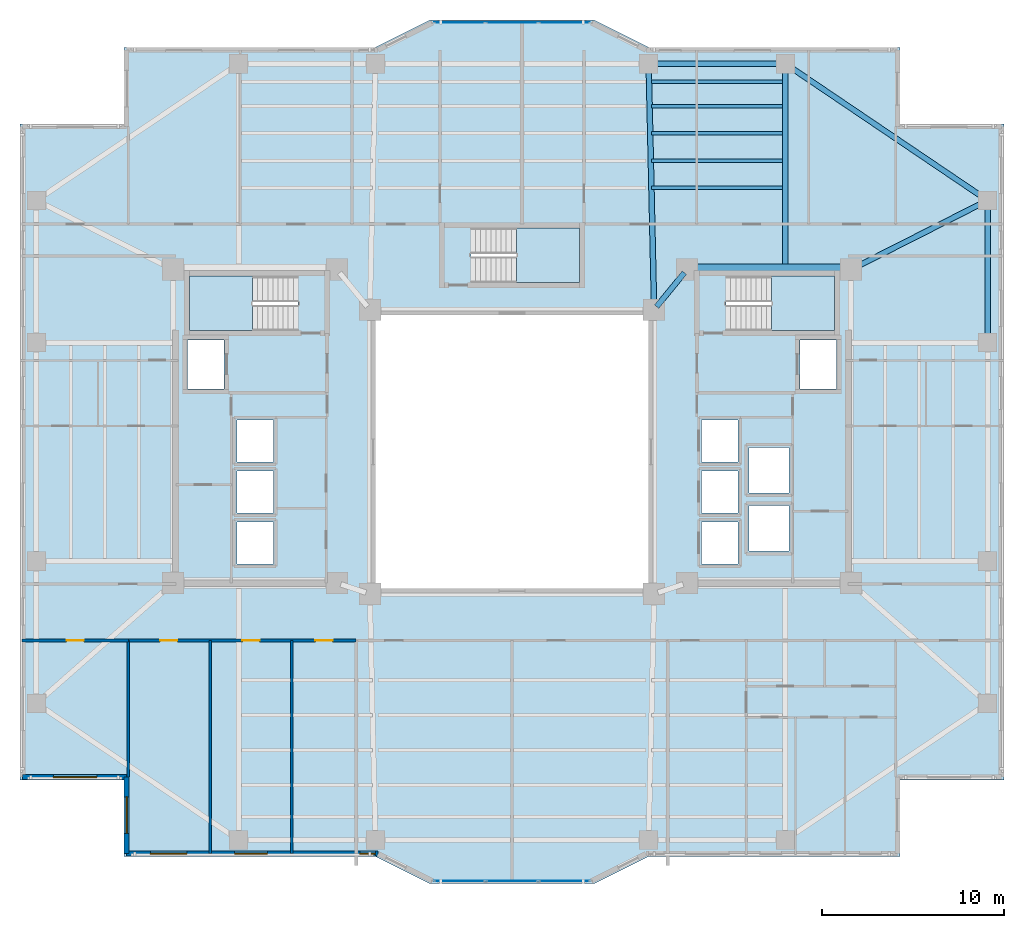
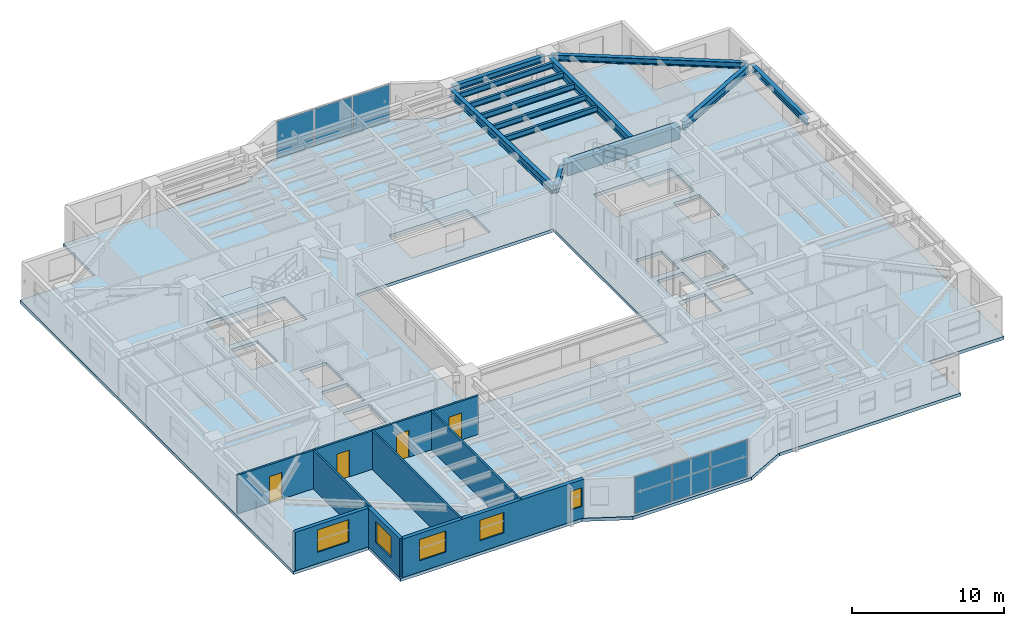
# One storey, part 5 of 18: 13 beams, 8 walls, 6 plates, 5 windows, 4 doors, 4 slabs, 9 openings, 5 elements without a shape of their own.
"""IFC4 building model written with IfcOpenShell, lengths in metres."""

from ifc_helpers import new_model, si_unit, direction, frame, frame_2d, origin, origin_2d, place, context, subcontext, project, spatial, polyline, rectangle, i_section, outline, extrude, material, layer, layer_set, material_profile, profile_set, type_object, element, fill, aggregate, save


model = new_model("IFC4")

# Units and contexts
model_context = context("Model", 3, precision=1e-05, world=origin(), true_north=direction((0.0, 1.0)))
body_context = subcontext(model_context, "Body", "Model", "MODEL_VIEW")
ifc_project = project(units=[si_unit("LENGTHUNIT", "METRE"), si_unit("AREAUNIT", "SQUARE_METRE"), si_unit("VOLUMEUNIT", "CUBIC_METRE"), si_unit("PLANEANGLEUNIT", "RADIAN"), si_unit("MASSUNIT", "GRAM", prefix="KILO")], contexts=[model_context])

# Site, building, storey
site_placement = place(None, origin())
site = spatial("IfcSite", under=ifc_project, at=site_placement, CompositionType="ELEMENT")
building_placement = place(site_placement, origin())
building = spatial("IfcBuilding", under=site, at=building_placement, Name="Tarnavaz Court Tower", CompositionType="ELEMENT")
storey_placement = place(building_placement, frame((0.0, 0.0, 108.449951171875)))
storey = spatial("IfcBuildingStorey", under=building, at=storey_placement, Name="L29", CompositionType="ELEMENT", Elevation=108.449951171875)

# Beams
ifc_material_1 = material(Name="Concrete C60/75", Category="concrete")
ifc_material_profile_1 = material_profile(ifc_material_1, rectangle(XDim=0.60009765625, YDim=1.0, at=origin_2d()), Name="RC 600X1000")
ifc_profile_set_1 = profile_set([ifc_material_profile_1], Name="Concrete C60/75")
beam_type_1 = type_object("IfcBeamType", Name="BM-CB1000", PredefinedType="LINTEL", material=ifc_profile_set_1)
beam_1_placement = place(storey_placement, frame((18.3798828125, 10.0, 2.60009765625), z_axis=(-1.0, 0.0, 0.0), x_axis=(0.0, -1.0, 0.0)))
element("IfcBeam", 1, at=beam_1_placement, inside=storey, type_object=beam_type_1, Name="L29 Beam IN-CE-NO-CE-NI", PredefinedType="LINTEL", context=body_context, shape_type="SweptSolid", body=[
    extrude(rectangle(XDim=0.60009765625, YDim=1.0, at=origin_2d()), origin(), (0.0, 0.0, 1.0), 8.559814453125),
])
ifc_material_2 = material(Name="Steel S355", Category="steel")
ifc_material_profile_2 = material_profile(ifc_material_2, i_section(OverallWidth=0.300048828125, OverallDepth=0.64990234375, WebThickness=0.01611328125, FlangeThickness=0.031005859375, FilletRadius=0.027099609375, at=origin_2d()), Name="HEB 650")
ifc_profile_set_2 = profile_set([ifc_material_profile_2], Name="Steel S355")
beam_type_2 = type_object("IfcBeamType", Name="BM-G-HEB650", PredefinedType="USERDEFINED", material=ifc_profile_set_2)
beam_2_placement = place(storey_placement, frame((9.460693359375, 9.82958984375, 2.775146484375), z_axis=(-0.633282058357, -0.773921077735, 0.0), x_axis=(0.773921077735, -0.633282058357, 0.0)))
element("IfcBeam", 2, at=beam_2_placement, inside=storey, type_object=beam_type_2, Name="L29 Beam IN-CE-NI-IW-NE", ObjectType="GIRDER", PredefinedType="USERDEFINED", context=body_context, shape_type="SweptSolid", body=[
    extrude(i_section(OverallWidth=0.300048828125, OverallDepth=0.64990234375, WebThickness=0.01611328125, FlangeThickness=0.031005859375, FilletRadius=0.027099609375, at=origin_2d()), origin(), (0.0, 0.0, 1.0), 2.402587890625),
])
beam_3_placement = place(storey_placement, frame((7.795166015625, 8.02001953125, 2.775146484375), z_axis=(-0.022221303469, 0.99975307635, 0.0), x_axis=(-0.99975307635, -0.022221303469, 0.0)))
element("IfcBeam", 3, at=beam_3_placement, inside=storey, type_object=beam_type_2, Name="L29 Beam RG-03", ObjectType="GIRDER", PredefinedType="USERDEFINED", context=body_context, shape_type="SweptSolid", body=[
    extrude(i_section(OverallWidth=0.300048828125, OverallDepth=0.64990234375, WebThickness=0.01611328125, FlangeThickness=0.031005859375, FilletRadius=0.027099609375, at=origin_2d()), origin(), (0.0, 0.0, 1.0), 13.063232421875),
])
beam_4_placement = place(storey_placement, frame((15.0, 10.0400390625, 2.775146484375), z_axis=(0.0, 1.0, 0.0), x_axis=(-1.0, 0.0, 0.0)))
element("IfcBeam", 4, at=beam_4_placement, inside=storey, type_object=beam_type_2, Name="L29 Beam RG-04", ObjectType="GIRDER", PredefinedType="USERDEFINED", context=body_context, shape_type="SweptSolid", body=[
    extrude(i_section(OverallWidth=0.300048828125, OverallDepth=0.64990234375, WebThickness=0.01611328125, FlangeThickness=0.031005859375, FilletRadius=0.027099609375, at=origin_2d()), origin(), (0.0, 0.0, 1.0), 11.0400390625),
])
beam_5_placement = place(storey_placement, frame((18.796142578125, 10.099365234375, 2.775146484375), z_axis=(0.892030669981, 0.451974870776, 0.0), x_axis=(-0.451974870776, 0.892030669981, 0.0)))
element("IfcBeam", 5, at=beam_5_placement, inside=storey, type_object=beam_type_2, Name="L29 Beam RG-12", ObjectType="GIRDER", PredefinedType="USERDEFINED", context=body_context, shape_type="SweptSolid", body=[
    extrude(i_section(OverallWidth=0.300048828125, OverallDepth=0.64990234375, WebThickness=0.01611328125, FlangeThickness=0.031005859375, FilletRadius=0.027099609375, at=origin_2d()), origin(), (0.0, 0.0, 1.0), 7.968017578125),
])
ifc_material_profile_3 = material_profile(ifc_material_2, i_section(OverallWidth=0.18994140625, OverallDepth=0.449951171875, WebThickness=0.009521484375, FlangeThickness=0.0146484375, FilletRadius=0.02099609375, at=origin_2d()), Name="IPE 450")
ifc_profile_set_3 = profile_set([ifc_material_profile_3], Name="Steel S355")
beam_type_3 = type_object("IfcBeamType", Name="BM-J-IPE450", PredefinedType="JOIST", material=ifc_profile_set_3)
for number, where, z_axis, x_axis, name in (
    (6, (7.64990234375, 14.493896484375, 2.875), (1.0, 0.0, 0.0), (0.0, 1.0, 0.0), "L29 Beam JN1-3"),
    (7, (7.64990234375, 15.988037109375, 2.875), (1.0, 0.0, 0.0), (0.0, 1.0, 0.0), "L29 Beam JN2-3"),
    (8, (7.64990234375, 17.48193359375, 2.875), (1.0, 0.0, 0.0), (0.0, 1.0, 0.0), "L29 Beam JN3-3"),
    (9, (7.64990234375, 18.97607421875, 2.875), (1.0, 0.0, 0.0), (0.0, 1.0, 0.0), "L29 Beam JN4-3"),
    (10, (7.64990234375, 20.303955078125, 2.875), (1.0, 0.0, 0.0), (0.0, 1.0, 0.0), "L29 Beam JN5-3"),
):
    element("IfcBeam", number, at=place(storey_placement, frame(where, z_axis=z_axis, x_axis=x_axis)), inside=storey, type_object=beam_type_3, Name=name, PredefinedType="JOIST", context=body_context, shape_type="SweptSolid", body=[
        extrude(i_section(OverallWidth=0.18994140625, OverallDepth=0.449951171875, WebThickness=0.009521484375, FlangeThickness=0.0146484375, FilletRadius=0.02099609375, at=origin_2d()), origin(), (0.0, 0.0, 1.0), 7.2001953125),
    ])
ifc_material_profile_4 = material_profile(ifc_material_2, i_section(OverallWidth=0.300048828125, OverallDepth=0.489990234375, WebThickness=0.011962890625, FlangeThickness=0.02294921875, FilletRadius=0.027099609375, at=origin_2d()), Name="HEA 500")
ifc_profile_set_4 = profile_set([ifc_material_profile_4], Name="Steel S355")
beam_type_4 = type_object("IfcBeamType", Name="BM-SP-HEA500", PredefinedType="SPANDREL", material=ifc_profile_set_4)
beam_6_placement = place(storey_placement, frame((7.719970703125, 21.300048828125, 2.85498046875), z_axis=(1.0, 0.0, 0.0), x_axis=(0.0, 1.0, 0.0)))
element("IfcBeam", 11, at=beam_6_placement, inside=storey, type_object=beam_type_4, Name="L29 Beam PR-PN-3-PN-4", PredefinedType="SPANDREL", context=body_context, shape_type="SweptSolid", body=[
    extrude(i_section(OverallWidth=0.300048828125, OverallDepth=0.489990234375, WebThickness=0.011962890625, FlangeThickness=0.02294921875, FilletRadius=0.027099609375, at=origin_2d()), origin(), (0.0, 0.0, 1.0), 7.06005859375),
])
beam_7_placement = place(storey_placement, frame((26.10009765625, 6.219970703125, 2.85498046875), z_axis=(0.0, 1.0, 0.0), x_axis=(-1.0, 0.0, 0.0)))
element("IfcBeam", 12, at=beam_7_placement, inside=storey, type_object=beam_type_4, Name="L29 Beam PR-PE-3-PE-4", PredefinedType="SPANDREL", context=body_context, shape_type="SweptSolid", body=[
    extrude(i_section(OverallWidth=0.300048828125, OverallDepth=0.489990234375, WebThickness=0.011962890625, FlangeThickness=0.02294921875, FilletRadius=0.027099609375, at=origin_2d()), origin(), (0.0, 0.0, 1.0), 7.360107421875),
])
beam_8_placement = place(storey_placement, frame((15.182373046875, 21.1767578125, 2.85498046875), z_axis=(0.828587314918, -0.559859858854, 0.0), x_axis=(0.559859858854, 0.828587314918, 0.0)))
element("IfcBeam", 13, at=beam_8_placement, inside=storey, type_object=beam_type_4, Name="L29 Beam PR-PN-4-PE-4", PredefinedType="SPANDREL", context=body_context, shape_type="SweptSolid", body=[
    extrude(i_section(OverallWidth=0.300048828125, OverallDepth=0.489990234375, WebThickness=0.011962890625, FlangeThickness=0.02294921875, FilletRadius=0.027099609375, at=origin_2d()), origin(), (0.0, 0.0, 1.0), 12.956298828125),
])

# Curtain wall, plates
ifc_material_3 = material(Name="Anodised Aluminium 6063-T6 and Solar Low-E Glazing", Category="aluminium")
ifc_layer_1 = layer(ifc_material_3, 0.179931640625)
ifc_layer_set_1 = layer_set([ifc_layer_1], Name="Anodised Aluminium 6063-T6 and Solar Low-E Glazing")
curtain_wall_type = type_object("IfcCurtainWallType", Name="CW-SYS-02", PredefinedType="NOTDEFINED", material=ifc_layer_set_1)
curtain_wall_1_placement = place(storey_placement, origin())
curtain_wall_1 = element("IfcCurtainWall", 14, at=curtain_wall_1_placement, inside=storey, type_object=curtain_wall_type, Name="L29 Iwan Prow Curtain Wall 7", PredefinedType="NOTDEFINED")
ifc_material_4 = material(Name="Double-Glazed Solar Low-E Glass", Category="glass")
ifc_layer_2 = layer(ifc_material_4, 0.028076171875)
ifc_layer_set_2 = layer_set([ifc_layer_2], Name="Double-Glazed Solar Low-E Glass")
plate_type = type_object("IfcPlateType", Name="CW-PAN-GLZ28", PredefinedType="CURTAIN_PANEL", material=ifc_layer_set_2)
plate_1_placement = place(storey_placement, frame((-2.88134765625, 23.550048828125, 0.06494140625), z_axis=(0.0, 0.0, 1.0), x_axis=(1.0, 0.0, 0.0)))
plate_1 = element("IfcPlate", 15, at=plate_1_placement, type_object=plate_type, Name="CW panel 1.1", PredefinedType="CURTAIN_PANEL", context=body_context, shape_type="SweptSolid", body=[
    extrude(rectangle(XDim=2.78759765625, YDim=0.028076171875, at=origin_2d()), origin(), (0.0, 0.0, 1.0), 2.969970703125),
])
plate_2_placement = place(storey_placement, frame((0.0, 23.550048828125, 0.06494140625), z_axis=(0.0, 0.0, 1.0), x_axis=(1.0, 0.0, 0.0)))
plate_2 = element("IfcPlate", 16, at=plate_2_placement, type_object=plate_type, Name="CW panel 2.1", PredefinedType="CURTAIN_PANEL", context=body_context, shape_type="SweptSolid", body=[
    extrude(rectangle(XDim=2.824951171875, YDim=0.028076171875, at=origin_2d()), origin(), (0.0, 0.0, 1.0), 2.969970703125),
])
plate_3_placement = place(storey_placement, frame((2.88134765625, 23.550048828125, 0.06494140625), z_axis=(0.0, 0.0, 1.0), x_axis=(1.0, 0.0, 0.0)))
plate_3 = element("IfcPlate", 17, at=plate_3_placement, type_object=plate_type, Name="CW panel 3.1", PredefinedType="CURTAIN_PANEL", context=body_context, shape_type="SweptSolid", body=[
    extrude(rectangle(XDim=2.78759765625, YDim=0.028076171875, at=origin_2d()), origin(), (0.0, 0.0, 1.0), 2.969970703125),
])
aggregate(curtain_wall_1, [plate_1, plate_2, plate_3])

curtain_wall_2_placement = place(storey_placement, origin())
curtain_wall_2 = element("IfcCurtainWall", 18, at=curtain_wall_2_placement, inside=storey, type_object=curtain_wall_type, Name="L29 Iwan Prow Curtain Wall 17", PredefinedType="NOTDEFINED")
plate_4_placement = place(storey_placement, frame((2.88134765625, -23.550048828125, 0.06494140625), z_axis=(0.0, 0.0, 1.0), x_axis=(-1.0, 0.0, 0.0)))
plate_4 = element("IfcPlate", 19, at=plate_4_placement, type_object=plate_type, Name="CW panel 1.1", PredefinedType="CURTAIN_PANEL", context=body_context, shape_type="SweptSolid", body=[
    extrude(rectangle(XDim=2.78759765625, YDim=0.028076171875, at=origin_2d()), origin(), (0.0, 0.0, 1.0), 2.969970703125),
])
plate_5_placement = place(storey_placement, frame((0.0, -23.550048828125, 0.06494140625), z_axis=(0.0, 0.0, 1.0), x_axis=(-1.0, 0.0, 0.0)))
plate_5 = element("IfcPlate", 20, at=plate_5_placement, type_object=plate_type, Name="CW panel 2.1", PredefinedType="CURTAIN_PANEL", context=body_context, shape_type="SweptSolid", body=[
    extrude(rectangle(XDim=2.824951171875, YDim=0.028076171875, at=origin_2d()), origin(), (0.0, 0.0, 1.0), 2.969970703125),
])
plate_6_placement = place(storey_placement, frame((-2.88134765625, -23.550048828125, 0.06494140625), z_axis=(0.0, 0.0, 1.0), x_axis=(-1.0, 0.0, 0.0)))
plate_6 = element("IfcPlate", 21, at=plate_6_placement, type_object=plate_type, Name="CW panel 3.1", PredefinedType="CURTAIN_PANEL", context=body_context, shape_type="SweptSolid", body=[
    extrude(rectangle(XDim=2.78759765625, YDim=0.028076171875, at=origin_2d()), origin(), (0.0, 0.0, 1.0), 2.969970703125),
])
aggregate(curtain_wall_2, [plate_4, plate_5, plate_6])

# Stair, slab
ifc_material_5 = material(Name="Concrete C40/50", Category="concrete")
stair_type = type_object("IfcStairType", Name="ST-TWR-20R", PredefinedType="HALF_TURN_STAIR", material=ifc_material_5)
stair_1_placement = place(storey_placement, origin())
stair_1 = element("IfcStair", 22, at=stair_1_placement, inside=storey, type_object=stair_type, Name="L29 West Core Pressurized Exit Stair ST-W1", PredefinedType="HALF_TURN_STAIR")
ifc_layer_3 = layer(ifc_material_5, 0.199951171875)
ifc_layer_set_3 = layer_set([ifc_layer_3], Name="Concrete C40/50")
slab_type_1 = type_object("IfcSlabType", Name="SL-LAND-200", PredefinedType="LANDING", material=ifc_layer_set_3)
slab_1_placement = place(storey_placement, frame((0.0, 0.0, 1.47509765625)))
slab_1 = element("IfcSlab", 23, at=slab_1_placement, type_object=slab_type_1, Name="ST-W1 landing 1", PredefinedType="LANDING", context=body_context, shape_type="SweptSolid", body=[
    extrude(outline(polyline([(-14.239990234375, 9.639892578125), (-17.699951171875, 9.639892578125), (-17.699951171875, 6.64990234375), (-14.239990234375, 6.64990234375), (-14.239990234375, 9.639892578125)])), origin(), (0.0, 0.0, 1.0), 0.199951171875),
])
aggregate(stair_1, [slab_1])

stair_2_placement = place(storey_placement, origin())
stair_2 = element("IfcStair", 24, at=stair_2_placement, inside=storey, type_object=stair_type, Name="L29 East Core Pressurized Exit Stair ST-E1", PredefinedType="HALF_TURN_STAIR")
slab_2_placement = place(storey_placement, frame((0.0, 0.0, 1.47509765625)))
slab_2 = element("IfcSlab", 25, at=slab_2_placement, type_object=slab_type_1, Name="ST-E1 landing 1", PredefinedType="LANDING", context=body_context, shape_type="SweptSolid", body=[
    extrude(outline(polyline([(14.239990234375, 6.64990234375), (17.699951171875, 6.64990234375), (17.699951171875, 9.639892578125), (14.239990234375, 9.639892578125), (14.239990234375, 6.64990234375)])), origin(), (0.0, 0.0, 1.0), 0.199951171875),
])
aggregate(stair_2, [slab_2])

stair_3_placement = place(storey_placement, origin())
stair_3 = element("IfcStair", 26, at=stair_3_placement, inside=storey, type_object=stair_type, Name="L29 North Ring Pressurized Exit Stair ST-N1", PredefinedType="HALF_TURN_STAIR")
slab_3_placement = place(storey_placement, frame((0.0, 0.0, 1.47509765625)))
slab_3 = element("IfcSlab", 27, at=slab_3_placement, type_object=slab_type_1, Name="ST-N1 landing 1", PredefinedType="LANDING", context=body_context, shape_type="SweptSolid", body=[
    extrude(outline(polyline([(0.239990234375, 9.300048828125), (3.699951171875, 9.300048828125), (3.699951171875, 12.2900390625), (0.239990234375, 12.2900390625), (0.239990234375, 9.300048828125)])), origin(), (0.0, 0.0, 1.0), 0.199951171875),
])
aggregate(stair_3, [slab_3])

# Slab
ifc_layer_4 = layer(ifc_material_5, 0.25)
ifc_layer_set_4 = layer_set([ifc_layer_4], Name="Concrete C40/50")
slab_type_2 = type_object("IfcSlabType", Name="SL-RES-250", PredefinedType="FLOOR", material=ifc_layer_set_4)
slab_4_placement = place(storey_placement, frame((0.0, 0.0, -0.25)))
element("IfcSlab", 28, at=slab_4_placement, inside=storey, type_object=slab_type_2, Name="L29 Structural Floor Slab", PredefinedType="FLOOR", context=body_context, shape_type="SweptSolid", body=[
    extrude(outline(polyline([(-21.300048828125, -22.199951171875), (-7.5, -22.199951171875), (-4.5, -23.699951171875), (4.5, -23.699951171875), (7.5, -22.199951171875), (21.300048828125, -22.199951171875), (21.300048828125, -18.0), (27.0, -18.0), (27.0, 18.0), (21.300048828125, 18.0), (21.300048828125, 22.199951171875), (7.5, 22.199951171875), (4.5, 23.699951171875), (-4.5, 23.699951171875), (-7.5, 22.199951171875), (-21.300048828125, 22.199951171875), (-21.300048828125, 18.0), (-27.0, 18.0), (-27.0, -18.0), (-21.300048828125, -18.0), (-21.300048828125, -22.199951171875)]), holes=[polyline([(-7.5, -7.5), (7.5, -7.5), (7.5, 7.5), (-7.5, 7.5), (-7.5, -7.5)]), polyline([(-11.7451171875, 9.639892578125), (-17.699951171875, 9.639892578125), (-17.699951171875, 6.64990234375), (-11.7451171875, 6.64990234375), (-11.7451171875, 9.639892578125)]), polyline([(11.7451171875, 6.64990234375), (17.699951171875, 6.64990234375), (17.699951171875, 9.639892578125), (11.7451171875, 9.639892578125), (11.7451171875, 6.64990234375)]), polyline([(-2.2548828125, 9.300048828125), (3.699951171875, 9.300048828125), (3.699951171875, 12.2900390625), (-2.2548828125, 12.2900390625), (-2.2548828125, 9.300048828125)]), polyline([(-17.800048828125, 3.449951171875), (-15.800048828125, 3.449951171875), (-15.800048828125, 6.14990234375), (-17.800048828125, 6.14990234375), (-17.800048828125, 3.449951171875)]), polyline([(-15.10009765625, -6.14990234375), (-13.10009765625, -6.14990234375), (-13.10009765625, -3.85009765625), (-15.10009765625, -3.85009765625), (-15.10009765625, -6.14990234375)]), polyline([(-15.10009765625, -3.35009765625), (-13.10009765625, -3.35009765625), (-13.10009765625, -1.050048828125), (-15.10009765625, -1.050048828125), (-15.10009765625, -3.35009765625)]), polyline([(-15.10009765625, -0.550048828125), (-13.10009765625, -0.550048828125), (-13.10009765625, 1.75), (-15.10009765625, 1.75), (-15.10009765625, -0.550048828125)]), polyline([(15.800048828125, 3.449951171875), (17.800048828125, 3.449951171875), (17.800048828125, 6.14990234375), (15.800048828125, 6.14990234375), (15.800048828125, 3.449951171875)]), polyline([(10.39990234375, -6.14990234375), (12.39990234375, -6.14990234375), (12.39990234375, -3.85009765625), (10.39990234375, -3.85009765625), (10.39990234375, -6.14990234375)]), polyline([(10.39990234375, -3.35009765625), (12.39990234375, -3.35009765625), (12.39990234375, -1.050048828125), (10.39990234375, -1.050048828125), (10.39990234375, -3.35009765625)]), polyline([(10.39990234375, -0.550048828125), (12.39990234375, -0.550048828125), (12.39990234375, 1.75), (10.39990234375, 1.75), (10.39990234375, -0.550048828125)]), polyline([(13.0, -5.449951171875), (15.199951171875, -5.449951171875), (15.199951171875, -2.949951171875), (13.0, -2.949951171875), (13.0, -5.449951171875)]), polyline([(13.0, -2.25), (15.199951171875, -2.25), (15.199951171875, 0.25), (13.0, 0.25), (13.0, -2.25)])]), origin(), (0.0, 0.0, 1.0), 0.25),
])

# Wall, opening, window
ifc_material_6 = material(Name="Precast Concrete C40/50", Category="concrete")
ifc_layer_5 = layer(ifc_material_6, 0.280029296875)
ifc_layer_set_5 = layer_set([ifc_layer_5], Name="Precast Concrete C40/50")
wall_type_1 = type_object("IfcWallType", Name="WL-EXT-280", PredefinedType="SOLIDWALL", material=ifc_layer_set_5)
wall_1_placement = place(storey_placement, frame((-21.14990234375, -17.85009765625, 0.0), z_axis=(0.0, 0.0, 1.0), x_axis=(-1.0, 0.0, 0.0)))
wall_1 = element("IfcWall", 29, at=wall_1_placement, inside=storey, type_object=wall_type_1, Name="L29 Exterior Terracotta Facade Wall 01", PredefinedType="SOLIDWALL", context=body_context, shape_type="SweptSolid", body=[
    extrude(rectangle(XDim=5.7001953125, YDim=0.280029296875, at=frame_2d((2.85009765625, 0.0))), origin(), (0.0, 0.0, 1.0), 3.10009765625),
])
opening_1_placement = place(wall_1_placement, frame((1.625, 0.0, 0.89990234375)))
opening_1 = element("IfcOpeningElement", 30, at=opening_1_placement, cuts=wall_1, Name="Opening W06", PredefinedType="OPENING", context=body_context, shape_type="SweptSolid", body=[
    extrude(rectangle(XDim=2.39990234375, YDim=1.800048828125, at=frame_2d((1.199951171875, 0.89990234375))), frame((0.0, 0.14990234375, 0.0), z_axis=(0.0, -1.0, 0.0), x_axis=(1.0, 0.0, 0.0)), (0.0, 0.0, 1.0), 0.300048828125),
])
window_type_1 = type_object("IfcWindowType", Name="WN-APT-2400", PartitioningType="TRIPLE_PANEL_VERTICAL", PredefinedType="WINDOW", material=ifc_material_4)
window_1_placement = place(opening_1_placement, origin())
window_1 = element("IfcWindow", 31, at=window_1_placement, inside=storey, type_object=window_type_1, Name="L29 South-West Corner Reading Room Window", OverallHeight=1.800048828125, OverallWidth=2.39990234375, PartitioningType="SINGLE_PANEL", PredefinedType="WINDOW", context=body_context, shape_type="SweptSolid", body=[
    extrude(rectangle(XDim=2.39990234375, YDim=1.800048828125, at=frame_2d((1.199951171875, 0.89990234375))), frame((0.0, 0.030029296875, 0.0), z_axis=(0.0, -1.0, 0.0), x_axis=(1.0, 0.0, 0.0)), (0.0, 0.0, 1.0), 0.06005859375),
])
fill(opening_1, window_1)

# Wall, openings, windows
wall_2_placement = place(storey_placement, frame((-7.35009765625, -22.050048828125, 0.0), z_axis=(0.0, 0.0, 1.0), x_axis=(-1.0, 0.0, 0.0)))
wall_2 = element("IfcWall", 32, at=wall_2_placement, inside=storey, type_object=wall_type_1, Name="L29 Exterior Terracotta Facade Wall 19", PredefinedType="SOLIDWALL", context=body_context, shape_type="SweptSolid", body=[
    extrude(rectangle(XDim=13.7998046875, YDim=0.280029296875, at=frame_2d((6.89990234375, 0.0))), origin(), (0.0, 0.0, 1.0), 3.10009765625),
])
opening_2_placement = place(wall_2_placement, frame((0.14697265625, 0.0, 0.949951171875)))
opening_2 = element("IfcOpeningElement", 33, at=opening_2_placement, cuts=wall_2, Name="Opening W15", PredefinedType="OPENING", context=body_context, shape_type="SweptSolid", body=[
    extrude(rectangle(XDim=0.85009765625, YDim=1.5, at=frame_2d((0.425048828125, 0.75))), frame((0.0, 0.14990234375, 0.0), z_axis=(0.0, -1.0, 0.0), x_axis=(1.0, 0.0, 0.0)), (0.0, 0.0, 1.0), 0.300048828125),
])
opening_3_placement = place(wall_2_placement, frame((6.0751953125, 0.0, 0.89990234375)))
opening_3 = element("IfcOpeningElement", 34, at=opening_3_placement, cuts=wall_2, Name="Opening W01", PredefinedType="OPENING", context=body_context, shape_type="SweptSolid", body=[
    extrude(rectangle(XDim=1.800048828125, YDim=1.64990234375, at=frame_2d((0.89990234375, 0.824951171875))), frame((0.0, 0.14990234375, 0.0), z_axis=(0.0, -1.0, 0.0), x_axis=(1.0, 0.0, 0.0)), (0.0, 0.0, 1.0), 0.300048828125),
])
opening_4_placement = place(wall_2_placement, frame((10.49169921875, 0.0, 0.89990234375)))
opening_4 = element("IfcOpeningElement", 35, at=opening_4_placement, cuts=wall_2, Name="Opening W08", PredefinedType="OPENING", context=body_context, shape_type="SweptSolid", body=[
    extrude(rectangle(XDim=2.0, YDim=1.699951171875, at=frame_2d((1.0, 0.85009765625))), frame((0.0, 0.14990234375, 0.0), z_axis=(0.0, -1.0, 0.0), x_axis=(1.0, 0.0, 0.0)), (0.0, 0.0, 1.0), 0.300048828125),
])
window_type_2 = type_object("IfcWindowType", Name="WN-APT-1800", PartitioningType="DOUBLE_PANEL_VERTICAL", PredefinedType="WINDOW", material=ifc_material_4)
window_2_placement = place(opening_3_placement, origin())
window_2 = element("IfcWindow", 36, at=window_2_placement, inside=storey, type_object=window_type_2, Name="L29 Craft and Maker Workshop Room Window", OverallHeight=1.64990234375, OverallWidth=1.800048828125, PartitioningType="SINGLE_PANEL", PredefinedType="WINDOW", context=body_context, shape_type="SweptSolid", body=[
    extrude(rectangle(XDim=1.800048828125, YDim=1.64990234375, at=frame_2d((0.89990234375, 0.824951171875))), frame((0.0, 0.030029296875, 0.0), z_axis=(0.0, -1.0, 0.0), x_axis=(1.0, 0.0, 0.0)), (0.0, 0.0, 1.0), 0.06005859375),
])
fill(opening_3, window_2)
window_type_3 = type_object("IfcWindowType", Name="WN-APT-2000", PartitioningType="DOUBLE_PANEL_VERTICAL", PredefinedType="WINDOW", material=ifc_material_4)
window_3_placement = place(opening_4_placement, origin())
window_3 = element("IfcWindow", 37, at=window_3_placement, inside=storey, type_object=window_type_3, Name="L29 Resident Community Meeting Room Window", OverallHeight=1.699951171875, OverallWidth=2.0, PartitioningType="SINGLE_PANEL", PredefinedType="WINDOW", context=body_context, shape_type="SweptSolid", body=[
    extrude(rectangle(XDim=2.0, YDim=1.699951171875, at=frame_2d((1.0, 0.85009765625))), frame((0.0, 0.030029296875, 0.0), z_axis=(0.0, -1.0, 0.0), x_axis=(1.0, 0.0, 0.0)), (0.0, 0.0, 1.0), 0.06005859375),
])
fill(opening_4, window_3)
window_type_4 = type_object("IfcWindowType", Name="WN-APT-850", PartitioningType="SINGLE_PANEL", PredefinedType="WINDOW", material=ifc_material_4)
window_4_placement = place(opening_2_placement, origin())
window_4 = element("IfcWindow", 38, at=window_4_placement, inside=storey, type_object=window_type_4, Name="L29 South Courtyard Majlis Lounge Window", OverallHeight=1.5, OverallWidth=0.85009765625, PartitioningType="SINGLE_PANEL", PredefinedType="WINDOW", context=body_context, shape_type="SweptSolid", body=[
    extrude(rectangle(XDim=0.85009765625, YDim=1.5, at=frame_2d((0.425048828125, 0.75))), frame((0.0, 0.030029296875, 0.0), z_axis=(0.0, -1.0, 0.0), x_axis=(1.0, 0.0, 0.0)), (0.0, 0.0, 1.0), 0.06005859375),
])
fill(opening_2, window_4)

# Wall, opening, window
wall_3_placement = place(storey_placement, frame((-21.14990234375, -22.050048828125, 0.0), z_axis=(0.0, 0.0, 1.0), x_axis=(0.0, 1.0, 0.0)))
wall_3 = element("IfcWall", 39, at=wall_3_placement, inside=storey, type_object=wall_type_1, Name="L29 Exterior Terracotta Facade Wall 20", PredefinedType="SOLIDWALL", context=body_context, shape_type="SweptSolid", body=[
    extrude(rectangle(XDim=4.199951171875, YDim=0.280029296875, at=frame_2d((2.10009765625, 0.0))), origin(), (0.0, 0.0, 1.0), 3.10009765625),
])
opening_5_placement = place(wall_3_placement, frame((1.117919921875, 0.0, 0.89990234375)))
opening_5 = element("IfcOpeningElement", 40, at=opening_5_placement, cuts=wall_3, Name="Opening W08", PredefinedType="OPENING", context=body_context, shape_type="SweptSolid", body=[
    extrude(rectangle(XDim=2.0, YDim=1.699951171875, at=frame_2d((1.0, 0.85009765625))), frame((0.0, 0.14990234375, 0.0), z_axis=(0.0, -1.0, 0.0), x_axis=(1.0, 0.0, 0.0)), (0.0, 0.0, 1.0), 0.300048828125),
])
window_5_placement = place(opening_5_placement, origin())
window_5 = element("IfcWindow", 41, at=window_5_placement, inside=storey, type_object=window_type_3, Name="L29 Resident Community Meeting Room Window", OverallHeight=1.699951171875, OverallWidth=2.0, PartitioningType="SINGLE_PANEL", PredefinedType="WINDOW", context=body_context, shape_type="SweptSolid", body=[
    extrude(rectangle(XDim=2.0, YDim=1.699951171875, at=frame_2d((1.0, 0.85009765625))), frame((0.0, 0.030029296875, 0.0), z_axis=(0.0, -1.0, 0.0), x_axis=(1.0, 0.0, 0.0)), (0.0, 0.0, 1.0), 0.06005859375),
])
fill(opening_5, window_5)

# Wall, openings, doors
ifc_material_7 = material(Name="Gypsum Fire-Board on Acoustic Metal Stud", Category="masonry")
ifc_layer_6 = layer(ifc_material_7, 0.14990234375)
ifc_layer_set_6 = layer_set([ifc_layer_6], Name="Gypsum Fire-Board on Acoustic Metal Stud")
wall_type_2 = type_object("IfcWallType", Name="WL-FIRE-150", PredefinedType="PARTITIONING", material=ifc_layer_set_6)
wall_4_placement = place(storey_placement, frame((-21.050048828125, -10.35009765625, 0.0), z_axis=(0.0, 0.0, 1.0), x_axis=(1.0, 0.0, 0.0)))
wall_4 = element("IfcWall", 42, at=wall_4_placement, inside=storey, type_object=wall_type_2, Name="L29 SW Horseshoe Wall 073", PredefinedType="PARTITIONING", context=body_context, shape_type="SweptSolid", body=[
    extrude(rectangle(XDim=12.5, YDim=0.14990234375, at=frame_2d((6.25, 0.0))), origin(), (0.0, 0.0, 1.0), 3.10009765625),
])
opening_6_placement = place(wall_4_placement, frame((1.736083984375, 0.0, 0.0)))
opening_6 = element("IfcOpeningElement", 43, at=opening_6_placement, cuts=wall_4, Name="Opening D13", PredefinedType="OPENING", context=body_context, shape_type="SweptSolid", body=[
    extrude(rectangle(XDim=0.949951171875, YDim=2.14990234375, at=frame_2d((0.47509765625, 1.074951171875))), frame((0.0, 0.0849609375, 0.0), z_axis=(0.0, -1.0, 0.0), x_axis=(1.0, 0.0, 0.0)), (0.0, 0.0, 1.0), 0.169921875),
])
opening_7_placement = place(wall_4_placement, frame((6.248046875, 0.0, 0.0)))
opening_7 = element("IfcOpeningElement", 44, at=opening_7_placement, cuts=wall_4, Name="Opening D13", PredefinedType="OPENING", context=body_context, shape_type="SweptSolid", body=[
    extrude(rectangle(XDim=0.949951171875, YDim=2.14990234375, at=frame_2d((0.47509765625, 1.074951171875))), frame((0.0, 0.0849609375, 0.0), z_axis=(0.0, -1.0, 0.0), x_axis=(1.0, 0.0, 0.0)), (0.0, 0.0, 1.0), 0.169921875),
])
opening_8_placement = place(wall_4_placement, frame((10.261962890625, 0.0, 0.0)))
opening_8 = element("IfcOpeningElement", 45, at=opening_8_placement, cuts=wall_4, Name="Opening D13", PredefinedType="OPENING", context=body_context, shape_type="SweptSolid", body=[
    extrude(rectangle(XDim=0.949951171875, YDim=2.14990234375, at=frame_2d((0.47509765625, 1.074951171875))), frame((0.0, 0.0849609375, 0.0), z_axis=(0.0, -1.0, 0.0), x_axis=(1.0, 0.0, 0.0)), (0.0, 0.0, 1.0), 0.169921875),
])
ifc_material_8 = material(Name="Engineered Oak Timber", Category="wood")
door_type = type_object("IfcDoorType", Name="DR-INT-950", OperationType="NOTDEFINED", PredefinedType="DOOR", material=ifc_material_8)
door_1_placement = place(opening_6_placement, origin())
door_1 = element("IfcDoor", 46, at=door_1_placement, inside=storey, type_object=door_type, Name="L29 Resident Community Meeting Room Door", OperationType="SINGLE_SWING_LEFT", OverallHeight=2.14990234375, OverallWidth=0.949951171875, PredefinedType="DOOR", context=body_context, shape_type="SweptSolid", body=[
    extrude(rectangle(XDim=0.949951171875, YDim=2.14990234375, at=frame_2d((0.47509765625, 1.074951171875))), frame((0.0, 0.02490234375, 0.0), z_axis=(0.0, -1.0, 0.0), x_axis=(1.0, 0.0, 0.0)), (0.0, 0.0, 1.0), 0.050048828125),
])
fill(opening_6, door_1)
door_2_placement = place(opening_7_placement, origin())
door_2 = element("IfcDoor", 47, at=door_2_placement, inside=storey, type_object=door_type, Name="L29 Craft and Maker Workshop Room Door", OperationType="SINGLE_SWING_RIGHT", OverallHeight=2.14990234375, OverallWidth=0.949951171875, PredefinedType="DOOR", context=body_context, shape_type="SweptSolid", body=[
    extrude(rectangle(XDim=0.949951171875, YDim=2.14990234375, at=frame_2d((0.47509765625, 1.074951171875))), frame((0.0, 0.02490234375, 0.0), z_axis=(0.0, -1.0, 0.0), x_axis=(1.0, 0.0, 0.0)), (0.0, 0.0, 1.0), 0.050048828125),
])
fill(opening_7, door_2)
door_3_placement = place(opening_8_placement, origin())
door_3 = element("IfcDoor", 48, at=door_3_placement, inside=storey, type_object=door_type, Name="L29 Accessible Washroom WC Door", OperationType="SINGLE_SWING_LEFT", OverallHeight=2.14990234375, OverallWidth=0.949951171875, PredefinedType="DOOR", context=body_context, shape_type="SweptSolid", body=[
    extrude(rectangle(XDim=0.949951171875, YDim=2.14990234375, at=frame_2d((0.47509765625, 1.074951171875))), frame((0.0, 0.02490234375, 0.0), z_axis=(0.0, -1.0, 0.0), x_axis=(1.0, 0.0, 0.0)), (0.0, 0.0, 1.0), 0.050048828125),
])
fill(opening_8, door_3)

# Wall, opening, door
wall_5_placement = place(storey_placement, frame((-26.8798828125, -10.35009765625, 0.0), z_axis=(0.0, 0.0, 1.0), x_axis=(1.0, 0.0, 0.0)))
wall_5 = element("IfcWall", 49, at=wall_5_placement, inside=storey, type_object=wall_type_2, Name="L29 Interior Partition 105", PredefinedType="PARTITIONING", context=body_context, shape_type="SweptSolid", body=[
    extrude(rectangle(XDim=5.829833984375, YDim=0.14990234375, at=frame_2d((2.9150390625, 0.0))), origin(), (0.0, 0.0, 1.0), 3.10009765625),
])
opening_9_placement = place(wall_5_placement, frame((2.43994140625, 0.0, 0.0)))
opening_9 = element("IfcOpeningElement", 50, at=opening_9_placement, cuts=wall_5, Name="Opening D13", PredefinedType="OPENING", context=body_context, shape_type="SweptSolid", body=[
    extrude(rectangle(XDim=0.949951171875, YDim=2.14990234375, at=frame_2d((0.47509765625, 1.074951171875))), frame((0.0, 0.0849609375, 0.0), z_axis=(0.0, -1.0, 0.0), x_axis=(1.0, 0.0, 0.0)), (0.0, 0.0, 1.0), 0.169921875),
])
door_4_placement = place(opening_9_placement, origin())
door_4 = element("IfcDoor", 51, at=door_4_placement, inside=storey, type_object=door_type, Name="L29 SW Reading Room Door", OperationType="SINGLE_SWING_LEFT", OverallHeight=2.14990234375, OverallWidth=0.949951171875, PredefinedType="DOOR", context=body_context, shape_type="SweptSolid", body=[
    extrude(rectangle(XDim=0.949951171875, YDim=2.14990234375, at=frame_2d((0.47509765625, 1.074951171875))), frame((0.0, 0.02490234375, 0.0), z_axis=(0.0, -1.0, 0.0), x_axis=(1.0, 0.0, 0.0)), (0.0, 0.0, 1.0), 0.050048828125),
])
fill(opening_9, door_4)

# Walls
ifc_material_9 = material(Name="Gypsum Plasterboard Acoustic Partition", Category="masonry")
ifc_layer_7 = layer(ifc_material_9, 0.139892578125)
ifc_layer_set_7 = layer_set([ifc_layer_7], Name="Gypsum Plasterboard Acoustic Partition")
wall_type_3 = type_object("IfcWallType", Name="WL-PART-150", PredefinedType="PARTITIONING", material=ifc_layer_set_7)
for number, where, z_axis, x_axis, name in (
    (52, (-16.568115234375, -22.050048828125, 0.0), (0.0, 0.0, 1.0), (0.0, 1.0, 0.0), "L29 Interior Partition 082"),
    (53, (-12.0859375, -22.050048828125, 0.0), (0.0, 0.0, 1.0), (0.0, 1.0, 0.0), "L29 Interior Partition 083"),
):
    element("IfcWall", number, at=place(storey_placement, frame(where, z_axis=z_axis, x_axis=x_axis)), inside=storey, type_object=wall_type_3, Name=name, PredefinedType="PARTITIONING", context=body_context, shape_type="SweptSolid", body=[
        extrude(rectangle(XDim=11.699951171875, YDim=0.139892578125, at=frame_2d((5.85009765625, 0.0))), origin(), (0.0, 0.0, 1.0), 3.10009765625),
    ])
wall_6_placement = place(storey_placement, frame((-21.050048828125, -17.85009765625, 0.0), z_axis=(0.0, 0.0, 1.0), x_axis=(0.0, 1.0, 0.0)))
element("IfcWall", 54, at=wall_6_placement, inside=storey, type_object=wall_type_3, Name="L29 Interior Partition 099", PredefinedType="PARTITIONING", context=body_context, shape_type="SweptSolid", body=[
    extrude(rectangle(XDim=7.5, YDim=0.139892578125, at=frame_2d((3.75, 0.0))), origin(), (0.0, 0.0, 1.0), 3.10009765625),
])

save(model, "model.ifc")
